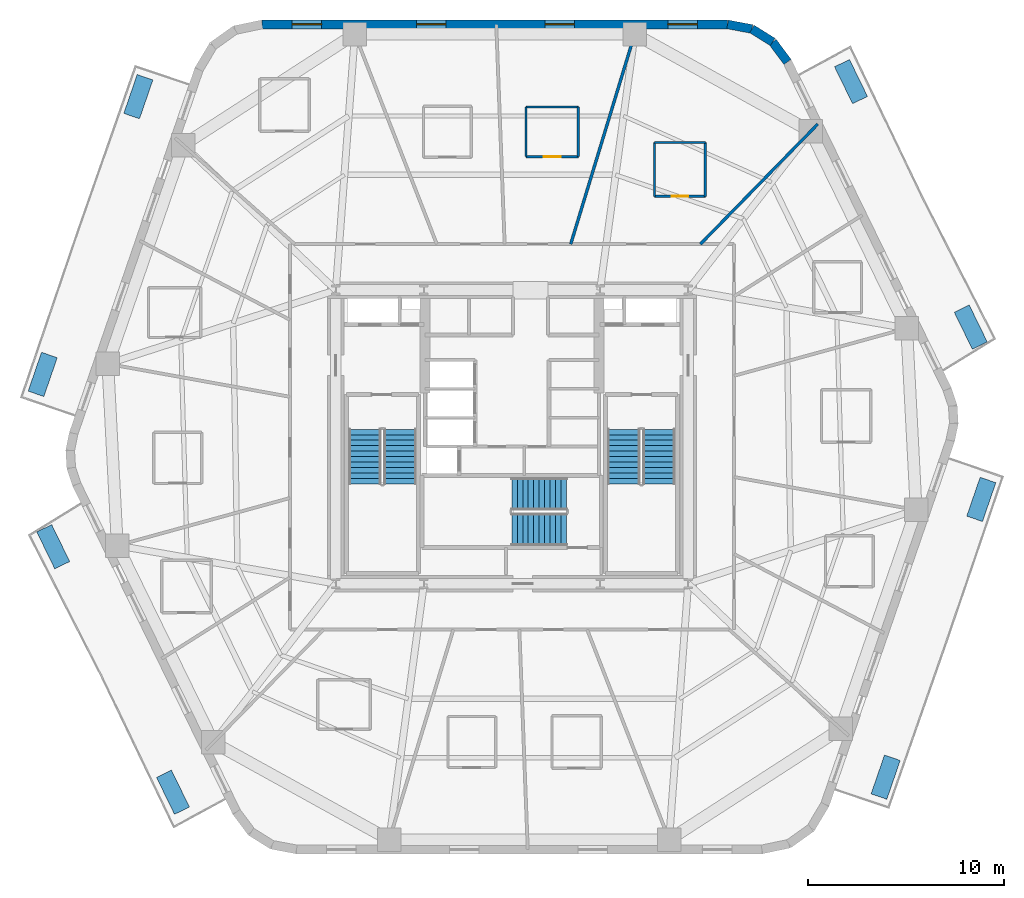
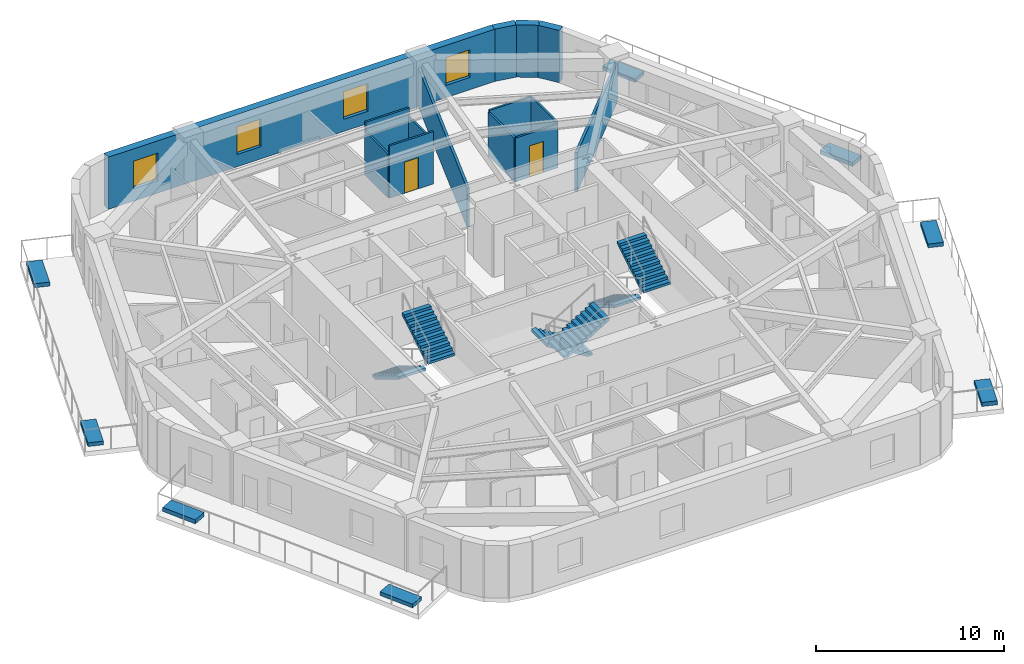
# One storey, part 7 of 10: 14 walls, 8 discrete accessories, 6 stair flights, 4 windows, 2 doors, 6 openings, 3 elements without a shape of their own.
"""IFC4 building model written with IfcOpenShell, lengths in metres."""

from ifc_helpers import new_model, si_unit, direction, frame, frame_2d, origin, origin_2d, place, context, subcontext, project, spatial, polyline, rectangle, outline, extrude, material, layer, layer_set, type_object, element, fill, aggregate, save


model = new_model("IFC4")

# Units and contexts
model_context = context("Model", 3, precision=1e-05, world=origin(), true_north=direction((0.0, 1.0)))
body_context = subcontext(model_context, "Body", "Model", "MODEL_VIEW")
ifc_project = project(units=[si_unit("LENGTHUNIT", "METRE"), si_unit("AREAUNIT", "SQUARE_METRE"), si_unit("VOLUMEUNIT", "CUBIC_METRE"), si_unit("PLANEANGLEUNIT", "RADIAN"), si_unit("MASSUNIT", "GRAM", prefix="KILO")], contexts=[model_context])

# Site, building, storey
site_placement = place(None, origin())
site = spatial("IfcSite", under=ifc_project, at=site_placement, CompositionType="ELEMENT")
building_placement = place(site_placement, origin())
building = spatial("IfcBuilding", under=site, at=building_placement, Name="Kilnhurst Terrace Hotel", CompositionType="ELEMENT")
storey_placement = place(building_placement, frame((0.0, 0.0, 121.0)))
storey = spatial("IfcBuildingStorey", under=building, at=storey_placement, Name="L29", CompositionType="ELEMENT", Elevation=121.0)

# Walls
ifc_material_1 = material(Name="Precast concrete C40/50", Category="concrete")
ifc_layer_1 = layer(ifc_material_1, 0.449951171875, Name="Precast concrete C40/50")
ifc_layer_set_1 = layer_set([ifc_layer_1], Name="Precast concrete C40/50")
wall_type_1 = type_object("IfcWallType", Name="WL-BRK-450", PredefinedType="SOLIDWALL", material=ifc_layer_set_1)
wall_1_placement = place(storey_placement, frame((14.07568359375, 19.16064453125, 0.0), z_axis=(0.0, 0.0, 1.0), x_axis=(-0.597226657159, 0.802072515412, 0.0)))
element("IfcWall", 1, at=wall_1_placement, inside=storey, type_object=wall_type_1, Name="L29 Rounded Corner Brick Wall C4.1", PredefinedType="SOLIDWALL", context=body_context, shape_type="SweptSolid", body=[
    extrude(rectangle(XDim=1.269287109375, YDim=0.449951171875, at=frame_2d((0.634765625, 0.0))), origin(), (0.0, 0.0, 1.0), 3.39990234375),
])
wall_2_placement = place(storey_placement, frame((13.317626953125, 20.1787109375, 0.0), z_axis=(0.0, 0.0, 1.0), x_axis=(-0.848031272749, 0.529946186362, 0.0)))
element("IfcWall", 2, at=wall_2_placement, inside=storey, type_object=wall_type_1, Name="L29 Rounded Corner Brick Wall C4.2", PredefinedType="SOLIDWALL", context=body_context, shape_type="SweptSolid", body=[
    extrude(rectangle(XDim=1.248046875, YDim=0.449951171875, at=frame_2d((0.6240234375, 0.0))), origin(), (0.0, 0.0, 1.0), 3.39990234375),
])
wall_3_placement = place(storey_placement, frame((12.25927734375, 20.840087890625, 0.0), z_axis=(0.0, 0.0, 1.0), x_axis=(-0.982730354425, 0.185043374624, 0.0)))
element("IfcWall", 3, at=wall_3_placement, inside=storey, type_object=wall_type_1, Name="L29 Rounded Corner Brick Wall C4.3", PredefinedType="SOLIDWALL", context=body_context, shape_type="SweptSolid", body=[
    extrude(rectangle(XDim=1.269287109375, YDim=0.449951171875, at=frame_2d((0.634765625, 0.0))), origin(), (0.0, 0.0, 1.0), 3.39990234375),
])

# Wall, openings, windows
wall_4_placement = place(storey_placement, frame((11.011962890625, 21.074951171875, 0.0), z_axis=(0.0, 0.0, 1.0), x_axis=(-1.0, 0.0, 0.0)))
wall_4 = element("IfcWall", 4, at=wall_4_placement, inside=storey, type_object=wall_type_1, Name="L29 Exterior Brick Facade Wall F4", PredefinedType="SOLIDWALL", context=body_context, shape_type="SweptSolid", body=[
    extrude(rectangle(XDim=23.782470703125, YDim=0.449951171875, at=frame_2d((11.89111328125, 0.0))), origin(), (0.0, 0.0, 1.0), 3.39990234375),
])
opening_1_placement = place(wall_4_placement, frame((1.5419921875, 0.0, 0.800048828125)))
opening_1 = element("IfcOpeningElement", 5, at=opening_1_placement, cuts=wall_4, Name="Opening W-02", PredefinedType="OPENING", context=body_context, shape_type="SweptSolid", body=[
    extrude(rectangle(XDim=1.5, YDim=1.800048828125, at=frame_2d((0.75, 0.89990234375))), frame((0.0, 0.23486328125, 0.0), z_axis=(0.0, -1.0, 0.0), x_axis=(1.0, 0.0, 0.0)), (0.0, 0.0, 1.0), 0.469970703125),
])
opening_2_placement = place(wall_4_placement, frame((7.820068359375, 0.0, 0.800048828125)))
opening_2 = element("IfcOpeningElement", 6, at=opening_2_placement, cuts=wall_4, Name="Opening W-02", PredefinedType="OPENING", context=body_context, shape_type="SweptSolid", body=[
    extrude(rectangle(XDim=1.5, YDim=1.800048828125, at=frame_2d((0.75, 0.89990234375))), frame((0.0, 0.23486328125, 0.0), z_axis=(0.0, -1.0, 0.0), x_axis=(1.0, 0.0, 0.0)), (0.0, 0.0, 1.0), 0.469970703125),
])
opening_3_placement = place(wall_4_placement, frame((14.387939453125, 0.0, 0.800048828125)))
opening_3 = element("IfcOpeningElement", 7, at=opening_3_placement, cuts=wall_4, Name="Opening W-02", PredefinedType="OPENING", context=body_context, shape_type="SweptSolid", body=[
    extrude(rectangle(XDim=1.5, YDim=1.800048828125, at=frame_2d((0.75, 0.89990234375))), frame((0.0, 0.23486328125, 0.0), z_axis=(0.0, -1.0, 0.0), x_axis=(1.0, 0.0, 0.0)), (0.0, 0.0, 1.0), 0.469970703125),
])
opening_4_placement = place(wall_4_placement, frame((20.740966796875, 0.0, 0.800048828125)))
opening_4 = element("IfcOpeningElement", 8, at=opening_4_placement, cuts=wall_4, Name="Opening W-02", PredefinedType="OPENING", context=body_context, shape_type="SweptSolid", body=[
    extrude(rectangle(XDim=1.5, YDim=1.800048828125, at=frame_2d((0.75, 0.89990234375))), frame((0.0, 0.23486328125, 0.0), z_axis=(0.0, -1.0, 0.0), x_axis=(1.0, 0.0, 0.0)), (0.0, 0.0, 1.0), 0.469970703125),
])
ifc_material_2 = material(Name="Thermally Broken Bronze Aluminium Alloy 6063-T6 and Low-E Glass", Category="aluminium")
window_type = type_object("IfcWindowType", Name="WIN-1500X1800", PartitioningType="SINGLE_PANEL", PredefinedType="WINDOW", material=ifc_material_2)
window_1_placement = place(opening_1_placement, origin())
window_1 = element("IfcWindow", 9, at=window_1_placement, inside=storey, type_object=window_type, Name="L29 Deep-Set Masonry Window F4.1", OverallHeight=1.800048828125, OverallWidth=1.5, PartitioningType="SINGLE_PANEL", PredefinedType="WINDOW", context=body_context, shape_type="SweptSolid", body=[
    extrude(rectangle(XDim=1.5, YDim=1.800048828125, at=frame_2d((0.75, 0.89990234375))), frame((0.0, 0.030029296875, 0.0), z_axis=(0.0, -1.0, 0.0), x_axis=(1.0, 0.0, 0.0)), (0.0, 0.0, 1.0), 0.06005859375),
])
fill(opening_1, window_1)
window_2_placement = place(opening_2_placement, origin())
window_2 = element("IfcWindow", 10, at=window_2_placement, inside=storey, type_object=window_type, Name="L29 Deep-Set Masonry Window F4.2", OverallHeight=1.800048828125, OverallWidth=1.5, PartitioningType="SINGLE_PANEL", PredefinedType="WINDOW", context=body_context, shape_type="SweptSolid", body=[
    extrude(rectangle(XDim=1.5, YDim=1.800048828125, at=frame_2d((0.75, 0.89990234375))), frame((0.0, 0.030029296875, 0.0), z_axis=(0.0, -1.0, 0.0), x_axis=(1.0, 0.0, 0.0)), (0.0, 0.0, 1.0), 0.06005859375),
])
fill(opening_2, window_2)
window_3_placement = place(opening_3_placement, origin())
window_3 = element("IfcWindow", 11, at=window_3_placement, inside=storey, type_object=window_type, Name="L29 Deep-Set Masonry Window F4.3", OverallHeight=1.800048828125, OverallWidth=1.5, PartitioningType="SINGLE_PANEL", PredefinedType="WINDOW", context=body_context, shape_type="SweptSolid", body=[
    extrude(rectangle(XDim=1.5, YDim=1.800048828125, at=frame_2d((0.75, 0.89990234375))), frame((0.0, 0.030029296875, 0.0), z_axis=(0.0, -1.0, 0.0), x_axis=(1.0, 0.0, 0.0)), (0.0, 0.0, 1.0), 0.06005859375),
])
fill(opening_3, window_3)
window_4_placement = place(opening_4_placement, origin())
window_4 = element("IfcWindow", 12, at=window_4_placement, inside=storey, type_object=window_type, Name="L29 Deep-Set Masonry Window F4.4", OverallHeight=1.800048828125, OverallWidth=1.5, PartitioningType="SINGLE_PANEL", PredefinedType="WINDOW", context=body_context, shape_type="SweptSolid", body=[
    extrude(rectangle(XDim=1.5, YDim=1.800048828125, at=frame_2d((0.75, 0.89990234375))), frame((0.0, 0.030029296875, 0.0), z_axis=(0.0, -1.0, 0.0), x_axis=(1.0, 0.0, 0.0)), (0.0, 0.0, 1.0), 0.06005859375),
])
fill(opening_4, window_4)

# Walls
ifc_material_3 = material(Name="STC-58 Acoustic Twin-Frame Guestroom Demising Partition")
ifc_layer_2 = layer(ifc_material_3, 0.14990234375, Name="STC-58 Acoustic Twin-Frame Guestroom Demising Partition")
ifc_layer_set_2 = layer_set([ifc_layer_2], Name="STC-58 Acoustic Twin-Frame Guestroom Demising Partition")
wall_type_2 = type_object("IfcWallType", Name="WL-DEM-150", PredefinedType="PARTITIONING", material=ifc_layer_set_2)
wall_5_placement = place(storey_placement, frame((9.6279296875, 9.85009765625, 0.0), z_axis=(0.0, 0.0, 1.0), x_axis=(0.698992824326, 0.715128681805, 0.0)))
element("IfcWall", 13, at=wall_5_placement, inside=storey, type_object=wall_type_2, Name="L29 Interior Wall WL-L29-DEM-COL02-03-1", PredefinedType="PARTITIONING", context=body_context, shape_type="SweptSolid", body=[
    extrude(rectangle(XDim=8.578857421875, YDim=0.14990234375, at=frame_2d((4.28955078125, 0.0))), origin(), (0.0, 0.0, 1.0), 2.5400390625),
])
wall_6_placement = place(storey_placement, frame((3.0, 9.85009765625, 0.0), z_axis=(0.0, 0.0, 1.0), x_axis=(0.291352035382, 0.95661590593, 0.0)))
element("IfcWall", 14, at=wall_6_placement, inside=storey, type_object=wall_type_2, Name="L29 Interior Wall WL-L29-DEM-COL03-04-1", PredefinedType="PARTITIONING", context=body_context, shape_type="SweptSolid", body=[
    extrude(rectangle(XDim=11.73388671875, YDim=0.14990234375, at=frame_2d((5.866943359375, 0.0))), origin(), (0.0, 0.0, 1.0), 2.5400390625),
])

# Wall, opening, door
ifc_material_4 = material(Name="120 mm Moisture-Resistant Tile-Backed Bathroom Partition")
ifc_layer_3 = layer(ifc_material_4, 0.1201171875, Name="120 mm Moisture-Resistant Tile-Backed Bathroom Partition")
ifc_layer_set_3 = layer_set([ifc_layer_3], Name="120 mm Moisture-Resistant Tile-Backed Bathroom Partition")
wall_type_3 = type_object("IfcWallType", Name="WL-PART-120", PredefinedType="PARTITIONING", material=ifc_layer_set_3)
wall_7_placement = place(storey_placement, frame((7.277099609375, 12.294921875, 0.0), z_axis=(0.0, 0.0, 1.0), x_axis=(1.0, 0.0, 0.0)))
wall_7 = element("IfcWall", 15, at=wall_7_placement, inside=storey, type_object=wall_type_3, Name="L29 Interior Wall WL-L29-BTH-03-1", PredefinedType="PARTITIONING", context=body_context, shape_type="SweptSolid", body=[
    extrude(rectangle(XDim=2.599853515625, YDim=0.1201171875, at=frame_2d((1.2998046875, 0.0))), origin(), (0.0, 0.0, 1.0), 2.84033203125),
])
opening_5_placement = place(wall_7_placement, frame((0.875, 0.0, 0.0)))
opening_5 = element("IfcOpeningElement", 16, at=opening_5_placement, cuts=wall_7, Name="Opening D-08A", PredefinedType="OPENING", context=body_context, shape_type="SweptSolid", body=[
    extrude(rectangle(XDim=0.85009765625, YDim=2.030029296875, at=frame_2d((0.425048828125, 1.01513671875))), frame((0.0, 0.070068359375, 0.0), z_axis=(0.0, -1.0, 0.0), x_axis=(1.0, 0.0, 0.0)), (0.0, 0.0, 1.0), 0.14013671875),
])
ifc_material_5 = material(Name="Moisture-Resistant Lacquered En-suite Bathroom Door")
door_type = type_object("IfcDoorType", Name="DR-INT-850", OperationType="NOTDEFINED", PredefinedType="DOOR", material=ifc_material_5)
door_1_placement = place(opening_5_placement, origin())
door_1 = element("IfcDoor", 17, at=door_1_placement, inside=storey, type_object=door_type, Name="L29 En-suite Bathroom Door 3", OperationType="SINGLE_SWING_RIGHT", OverallHeight=2.030029296875, OverallWidth=0.85009765625, PredefinedType="DOOR", context=body_context, shape_type="SweptSolid", body=[
    extrude(rectangle(XDim=0.85009765625, YDim=2.030029296875, at=frame_2d((0.425048828125, 1.01513671875))), frame((0.0, 0.02490234375, 0.0), z_axis=(0.0, -1.0, 0.0), x_axis=(1.0, 0.0, 0.0)), (0.0, 0.0, 1.0), 0.050048828125),
])
fill(opening_5, door_1)

# Walls
wall_8_placement = place(storey_placement, frame((9.876953125, 12.294921875, 0.0), z_axis=(0.0, 0.0, 1.0), x_axis=(0.0, 1.0, 0.0)))
element("IfcWall", 18, at=wall_8_placement, inside=storey, type_object=wall_type_3, Name="L29 Interior Wall WL-L29-BTH-03-2", PredefinedType="PARTITIONING", context=body_context, shape_type="SweptSolid", body=[
    extrude(rectangle(XDim=2.75, YDim=0.1201171875, at=frame_2d((1.375, 0.0))), origin(), (0.0, 0.0, 1.0), 2.972412109375),
])
wall_9_placement = place(storey_placement, frame((9.876953125, 15.044921875, 0.0), z_axis=(0.0, 0.0, 1.0), x_axis=(-1.0, 0.0, 0.0)))
element("IfcWall", 19, at=wall_9_placement, inside=storey, type_object=wall_type_3, Name="L29 Interior Wall WL-L29-BTH-03-3", PredefinedType="PARTITIONING", context=body_context, shape_type="SweptSolid", body=[
    extrude(rectangle(XDim=2.599853515625, YDim=0.1201171875, at=frame_2d((1.2998046875, 0.0))), origin(), (0.0, 0.0, 1.0), 2.972412109375),
])
wall_10_placement = place(storey_placement, frame((7.277099609375, 15.044921875, 0.0), z_axis=(0.0, 0.0, 1.0), x_axis=(0.0, -1.0, 0.0)))
element("IfcWall", 20, at=wall_10_placement, inside=storey, type_object=wall_type_3, Name="L29 Interior Wall WL-L29-BTH-03-4", PredefinedType="PARTITIONING", context=body_context, shape_type="SweptSolid", body=[
    extrude(rectangle(XDim=2.75, YDim=0.1201171875, at=frame_2d((1.375, 0.0))), origin(), (0.0, 0.0, 1.0), 2.84033203125),
])

# Wall, opening, door
wall_11_placement = place(storey_placement, frame((0.712890625, 14.31689453125, 0.0), z_axis=(0.0, 0.0, 1.0), x_axis=(1.0, 0.0, 0.0)))
wall_11 = element("IfcWall", 21, at=wall_11_placement, inside=storey, type_object=wall_type_3, Name="L29 Interior Wall WL-L29-BTH-04-1", PredefinedType="PARTITIONING", context=body_context, shape_type="SweptSolid", body=[
    extrude(rectangle(XDim=2.68017578125, YDim=0.1201171875, at=frame_2d((1.340087890625, 0.0))), origin(), (0.0, 0.0, 1.0), 3.39990234375),
])
opening_6_placement = place(wall_11_placement, frame((0.9150390625, 0.0, 0.0)))
opening_6 = element("IfcOpeningElement", 22, at=opening_6_placement, cuts=wall_11, Name="Opening D-08A", PredefinedType="OPENING", context=body_context, shape_type="SweptSolid", body=[
    extrude(rectangle(XDim=0.85009765625, YDim=2.030029296875, at=frame_2d((0.425048828125, 1.01513671875))), frame((0.0, 0.070068359375, 0.0), z_axis=(0.0, -1.0, 0.0), x_axis=(1.0, 0.0, 0.0)), (0.0, 0.0, 1.0), 0.14013671875),
])
door_2_placement = place(opening_6_placement, origin())
door_2 = element("IfcDoor", 23, at=door_2_placement, inside=storey, type_object=door_type, Name="L29 En-suite Bathroom Door 4", OperationType="SINGLE_SWING_LEFT", OverallHeight=2.030029296875, OverallWidth=0.85009765625, PredefinedType="DOOR", context=body_context, shape_type="SweptSolid", body=[
    extrude(rectangle(XDim=0.85009765625, YDim=2.030029296875, at=frame_2d((0.425048828125, 1.01513671875))), frame((0.0, 0.02490234375, 0.0), z_axis=(0.0, -1.0, 0.0), x_axis=(1.0, 0.0, 0.0)), (0.0, 0.0, 1.0), 0.050048828125),
])
fill(opening_6, door_2)

# Walls
wall_12_placement = place(storey_placement, frame((3.39306640625, 14.31689453125, 0.0), z_axis=(0.0, 0.0, 1.0), x_axis=(0.0, 1.0, 0.0)))
element("IfcWall", 24, at=wall_12_placement, inside=storey, type_object=wall_type_3, Name="L29 Interior Wall WL-L29-BTH-04-2", PredefinedType="PARTITIONING", context=body_context, shape_type="SweptSolid", body=[
    extrude(rectangle(XDim=2.5400390625, YDim=0.1201171875, at=frame_2d((1.27001953125, 0.0))), origin(), (0.0, 0.0, 1.0), 2.84033203125),
])
wall_13_placement = place(storey_placement, frame((3.39306640625, 16.85693359375, 0.0), z_axis=(0.0, 0.0, 1.0), x_axis=(-1.0, 0.0, 0.0)))
element("IfcWall", 25, at=wall_13_placement, inside=storey, type_object=wall_type_3, Name="L29 Interior Wall WL-L29-BTH-04-3", PredefinedType="PARTITIONING", context=body_context, shape_type="SweptSolid", body=[
    extrude(rectangle(XDim=2.68017578125, YDim=0.1201171875, at=frame_2d((1.340087890625, 0.0))), origin(), (0.0, 0.0, 1.0), 3.39990234375),
])
wall_14_placement = place(storey_placement, frame((0.712890625, 16.85693359375, 0.0), z_axis=(0.0, 0.0, 1.0), x_axis=(0.0, -1.0, 0.0)))
element("IfcWall", 26, at=wall_14_placement, inside=storey, type_object=wall_type_3, Name="L29 Interior Wall WL-L29-BTH-04-4", PredefinedType="PARTITIONING", context=body_context, shape_type="SweptSolid", body=[
    extrude(rectangle(XDim=2.5400390625, YDim=0.1201171875, at=frame_2d((1.27001953125, 0.0))), origin(), (0.0, 0.0, 1.0), 2.84033203125),
])

# Stair, stair flights
ifc_material_6 = material(Name="Concrete C50/60", Category="concrete")
stair_type = type_object("IfcStairType", Name="STR-CORE-1660", PredefinedType="HALF_TURN_STAIR", material=ifc_material_6)
stair_1_placement = place(storey_placement, origin())
stair_1 = element("IfcStair", 27, at=stair_1_placement, inside=storey, type_object=stair_type, Name="L29 ST-1", PredefinedType="HALF_TURN_STAIR")
stair_flight_type = type_object("IfcStairFlightType", Name="FLT-RC-1660", PredefinedType="STRAIGHT", material=ifc_material_6)
stair_flight_1_placement = place(storey_placement, frame((-7.52001953125, 0.389892578125, 0.0), z_axis=(0.0, 0.0, 1.0), x_axis=(0.0, -1.0, 0.0)))
stair_flight_1 = element("IfcStairFlight", 28, at=stair_flight_1_placement, type_object=stair_flight_type, Name="ST-1 flight 1", NumberOfRisers=11, NumberOfTreads=10, PredefinedType="STRAIGHT", RiserHeight=0.168181818, TreadLength=0.28, context=body_context, shape_type="SweptSolid", body=[
    extrude(outline(polyline([(0.0, 0.0), (0.0, 0.168212890625), (0.280029296875, 0.168212890625), (0.280029296875, 0.33642578125), (0.56005859375, 0.33642578125), (0.56005859375, 0.504638671875), (0.840087890625, 0.504638671875), (0.840087890625, 0.672607421875), (1.1201171875, 0.672607421875), (1.1201171875, 0.8408203125), (1.39990234375, 0.8408203125), (1.39990234375, 1.009033203125), (1.679931640625, 1.009033203125), (1.679931640625, 1.17724609375), (1.9599609375, 1.17724609375), (1.9599609375, 1.345458984375), (2.239990234375, 1.345458984375), (2.239990234375, 1.513671875), (2.52001953125, 1.513671875), (2.52001953125, 1.681884765625), (2.800048828125, 1.681884765625), (2.800048828125, 1.85009765625), (2.800048828125, 1.5068359375), (0.291015625, 0.0), (0.0, 0.0)])), frame((0.0, 0.830078125, 0.0), z_axis=(0.0, -1.0, 0.0), x_axis=(1.0, 0.0, 0.0)), (0.0, 0.0, 1.0), 1.659912109375),
])
stair_flight_2_placement = place(storey_placement, frame((-5.7099609375, -2.409912109375, 1.85009765625), z_axis=(0.0, 0.0, 1.0), x_axis=(0.0, 1.0, 0.0)))
stair_flight_2 = element("IfcStairFlight", 29, at=stair_flight_2_placement, type_object=stair_flight_type, Name="ST-1 flight 2", NumberOfRisers=11, NumberOfTreads=10, PredefinedType="STRAIGHT", RiserHeight=0.168181818, TreadLength=0.28, context=body_context, shape_type="SweptSolid", body=[
    extrude(outline(polyline([(0.0, 0.0), (0.0, 0.168212890625), (0.280029296875, 0.168212890625), (0.280029296875, 0.33642578125), (0.56005859375, 0.33642578125), (0.56005859375, 0.504638671875), (0.840087890625, 0.504638671875), (0.840087890625, 0.672607421875), (1.1201171875, 0.672607421875), (1.1201171875, 0.8408203125), (1.39990234375, 0.8408203125), (1.39990234375, 1.009033203125), (1.679931640625, 1.009033203125), (1.679931640625, 1.17724609375), (1.9599609375, 1.17724609375), (1.9599609375, 1.345458984375), (2.239990234375, 1.345458984375), (2.239990234375, 1.513671875), (2.52001953125, 1.513671875), (2.52001953125, 1.681884765625), (2.800048828125, 1.681884765625), (2.800048828125, 1.85009765625), (2.800048828125, 1.5068359375), (0.291015625, 0.0), (0.0, 0.0)])), frame((0.0, 0.830078125, 0.0), z_axis=(0.0, -1.0, 0.0), x_axis=(1.0, 0.0, 0.0)), (0.0, 0.0, 1.0), 1.659912109375),
])
aggregate(stair_1, [stair_flight_1, stair_flight_2])

stair_2_placement = place(storey_placement, origin())
stair_2 = element("IfcStair", 30, at=stair_2_placement, inside=storey, type_object=stair_type, Name="L29 ST-2", PredefinedType="HALF_TURN_STAIR")
stair_flight_3_placement = place(storey_placement, frame((5.7099609375, 0.389892578125, 0.0), z_axis=(0.0, 0.0, 1.0), x_axis=(0.0, -1.0, 0.0)))
stair_flight_3 = element("IfcStairFlight", 31, at=stair_flight_3_placement, type_object=stair_flight_type, Name="ST-2 flight 1", NumberOfRisers=11, NumberOfTreads=10, PredefinedType="STRAIGHT", RiserHeight=0.168181818, TreadLength=0.28, context=body_context, shape_type="SweptSolid", body=[
    extrude(outline(polyline([(0.0, 0.0), (0.0, 0.168212890625), (0.280029296875, 0.168212890625), (0.280029296875, 0.33642578125), (0.56005859375, 0.33642578125), (0.56005859375, 0.504638671875), (0.840087890625, 0.504638671875), (0.840087890625, 0.672607421875), (1.1201171875, 0.672607421875), (1.1201171875, 0.8408203125), (1.39990234375, 0.8408203125), (1.39990234375, 1.009033203125), (1.679931640625, 1.009033203125), (1.679931640625, 1.17724609375), (1.9599609375, 1.17724609375), (1.9599609375, 1.345458984375), (2.239990234375, 1.345458984375), (2.239990234375, 1.513671875), (2.52001953125, 1.513671875), (2.52001953125, 1.681884765625), (2.800048828125, 1.681884765625), (2.800048828125, 1.85009765625), (2.800048828125, 1.5068359375), (0.291015625, 0.0), (0.0, 0.0)])), frame((0.0, 0.830078125, 0.0), z_axis=(0.0, -1.0, 0.0), x_axis=(1.0, 0.0, 0.0)), (0.0, 0.0, 1.0), 1.659912109375),
])
stair_flight_4_placement = place(storey_placement, frame((7.52001953125, -2.409912109375, 1.85009765625), z_axis=(0.0, 0.0, 1.0), x_axis=(0.0, 1.0, 0.0)))
stair_flight_4 = element("IfcStairFlight", 32, at=stair_flight_4_placement, type_object=stair_flight_type, Name="ST-2 flight 2", NumberOfRisers=11, NumberOfTreads=10, PredefinedType="STRAIGHT", RiserHeight=0.168181818, TreadLength=0.28, context=body_context, shape_type="SweptSolid", body=[
    extrude(outline(polyline([(0.0, 0.0), (0.0, 0.168212890625), (0.280029296875, 0.168212890625), (0.280029296875, 0.33642578125), (0.56005859375, 0.33642578125), (0.56005859375, 0.504638671875), (0.840087890625, 0.504638671875), (0.840087890625, 0.672607421875), (1.1201171875, 0.672607421875), (1.1201171875, 0.8408203125), (1.39990234375, 0.8408203125), (1.39990234375, 1.009033203125), (1.679931640625, 1.009033203125), (1.679931640625, 1.17724609375), (1.9599609375, 1.17724609375), (1.9599609375, 1.345458984375), (2.239990234375, 1.345458984375), (2.239990234375, 1.513671875), (2.52001953125, 1.513671875), (2.52001953125, 1.681884765625), (2.800048828125, 1.681884765625), (2.800048828125, 1.85009765625), (2.800048828125, 1.5068359375), (0.291015625, 0.0), (0.0, 0.0)])), frame((0.0, 0.830078125, 0.0), z_axis=(0.0, -1.0, 0.0), x_axis=(1.0, 0.0, 0.0)), (0.0, 0.0, 1.0), 1.659912109375),
])
aggregate(stair_2, [stair_flight_3, stair_flight_4])

stair_3_placement = place(storey_placement, origin())
stair_3 = element("IfcStair", 33, at=stair_3_placement, inside=storey, type_object=stair_type, Name="L29 ST-3", PredefinedType="HALF_TURN_STAIR")
stair_flight_5_placement = place(storey_placement, frame((2.7900390625, -2.909912109375, 0.0), z_axis=(0.0, 0.0, 1.0), x_axis=(-1.0, 0.0, 0.0)))
stair_flight_5 = element("IfcStairFlight", 34, at=stair_flight_5_placement, type_object=stair_flight_type, Name="ST-3 flight 1", NumberOfRisers=11, NumberOfTreads=10, PredefinedType="STRAIGHT", RiserHeight=0.168181818, TreadLength=0.28, context=body_context, shape_type="SweptSolid", body=[
    extrude(outline(polyline([(0.0, 0.0), (0.0, 0.168212890625), (0.280029296875, 0.168212890625), (0.280029296875, 0.33642578125), (0.56005859375, 0.33642578125), (0.56005859375, 0.504638671875), (0.840087890625, 0.504638671875), (0.840087890625, 0.672607421875), (1.1201171875, 0.672607421875), (1.1201171875, 0.8408203125), (1.39990234375, 0.8408203125), (1.39990234375, 1.009033203125), (1.679931640625, 1.009033203125), (1.679931640625, 1.17724609375), (1.9599609375, 1.17724609375), (1.9599609375, 1.345458984375), (2.239990234375, 1.345458984375), (2.239990234375, 1.513671875), (2.52001953125, 1.513671875), (2.52001953125, 1.681884765625), (2.800048828125, 1.681884765625), (2.800048828125, 1.85009765625), (2.800048828125, 1.5068359375), (0.291015625, 0.0), (0.0, 0.0)])), frame((0.0, 0.830078125, 0.0), z_axis=(0.0, -1.0, 0.0), x_axis=(1.0, 0.0, 0.0)), (0.0, 0.0, 1.0), 1.659912109375),
])
stair_flight_6_placement = place(storey_placement, frame((-0.010009765625, -4.719970703125, 1.85009765625), z_axis=(0.0, 0.0, 1.0), x_axis=(1.0, 0.0, 0.0)))
stair_flight_6 = element("IfcStairFlight", 35, at=stair_flight_6_placement, type_object=stair_flight_type, Name="ST-3 flight 2", NumberOfRisers=11, NumberOfTreads=10, PredefinedType="STRAIGHT", RiserHeight=0.168181818, TreadLength=0.28, context=body_context, shape_type="SweptSolid", body=[
    extrude(outline(polyline([(0.0, 0.0), (0.0, 0.168212890625), (0.280029296875, 0.168212890625), (0.280029296875, 0.33642578125), (0.56005859375, 0.33642578125), (0.56005859375, 0.504638671875), (0.840087890625, 0.504638671875), (0.840087890625, 0.672607421875), (1.1201171875, 0.672607421875), (1.1201171875, 0.8408203125), (1.39990234375, 0.8408203125), (1.39990234375, 1.009033203125), (1.679931640625, 1.009033203125), (1.679931640625, 1.17724609375), (1.9599609375, 1.17724609375), (1.9599609375, 1.345458984375), (2.239990234375, 1.345458984375), (2.239990234375, 1.513671875), (2.52001953125, 1.513671875), (2.52001953125, 1.681884765625), (2.800048828125, 1.681884765625), (2.800048828125, 1.85009765625), (2.800048828125, 1.5068359375), (0.291015625, 0.0), (0.0, 0.0)])), frame((0.0, 0.830078125, 0.0), z_axis=(0.0, -1.0, 0.0), x_axis=(1.0, 0.0, 0.0)), (0.0, 0.0, 1.0), 1.659912109375),
])
aggregate(stair_3, [stair_flight_5, stair_flight_6])

# Discrete accessories
ifc_material_7 = material(Name="Precast Concrete C40/50 Shrub Planter", Category="concrete")
discrete_accessory_type_1 = type_object("IfcDiscreteAccessoryType", Name="PLN-SHRUB-240", PredefinedType="USERDEFINED", material=ifc_material_7)
for number, where, z_axis, x_axis, name in (
    (36, (23.9765625, -3.193115234375, 0.0), (0.0, 0.0, 1.0), (0.325601159083, 0.945507210551, 0.0), "L29 Structural Tree Planter Box PLANTER BAL-L1A.2"),
    (37, (17.321044921875, 18.15234375, 0.0), (0.0, 0.0, 1.0), (-0.438386833638, 0.898786395142, 0.0), "L29 Structural Tree Planter Box PLANTER BAL-L1B.2"),
    (38, (-23.9765625, 3.193115234375, 0.0), (0.0, 0.0, 1.0), (-0.325601159083, -0.945507210551, 0.0), "L29 Structural Tree Planter Box PLANTER BAL-L2A.2"),
    (39, (-17.321044921875, -18.15234375, 0.0), (0.0, 0.0, 1.0), (0.438386833638, -0.898786395142, 0.0), "L29 Structural Tree Planter Box PLANTER BAL-L2B.2"),
):
    element("IfcDiscreteAccessory", number, at=place(storey_placement, frame(where, z_axis=z_axis, x_axis=x_axis)), inside=storey, type_object=discrete_accessory_type_1, Name=name, ObjectType="PLANTER", PredefinedType="USERDEFINED", context=body_context, shape_type="SweptSolid", body=[
        extrude(rectangle(XDim=2.10009765625, YDim=0.85009765625, at=origin_2d()), origin(), (0.0, 0.0, 1.0), 0.239990234375),
    ])
ifc_material_8 = material(Name="Precast Concrete C40/50 Tree Planter", Category="concrete")
discrete_accessory_type_2 = type_object("IfcDiscreteAccessoryType", Name="PLN-TREE-260", PredefinedType="USERDEFINED", material=ifc_material_8)
for number, where, z_axis, x_axis, name in (
    (40, (19.090087890625, -17.3828125, 0.0), (0.0, 0.0, 1.0), (0.325601159083, 0.945507210551, 0.0), "L29 Structural Tree Planter Box PLANTER BAL-L1A.1"),
    (41, (23.4384765625, 5.6103515625, 0.0), (0.0, 0.0, 1.0), (-0.438386833638, 0.898786395142, 0.0), "L29 Structural Tree Planter Box PLANTER BAL-L1B.1"),
    (42, (-19.090087890625, 17.3828125, 0.0), (0.0, 0.0, 1.0), (-0.325601159083, -0.945507210551, 0.0), "L29 Structural Tree Planter Box PLANTER BAL-L2A.1"),
    (43, (-23.4384765625, -5.6103515625, 0.0), (0.0, 0.0, 1.0), (0.438386833638, -0.898786395142, 0.0), "L29 Structural Tree Planter Box PLANTER BAL-L2B.1"),
):
    element("IfcDiscreteAccessory", number, at=place(storey_placement, frame(where, z_axis=z_axis, x_axis=x_axis)), inside=storey, type_object=discrete_accessory_type_2, Name=name, ObjectType="PLANTER", PredefinedType="USERDEFINED", context=body_context, shape_type="SweptSolid", body=[
        extrude(rectangle(XDim=2.10009765625, YDim=0.85009765625, at=origin_2d()), origin(), (0.0, 0.0, 1.0), 0.260009765625),
    ])

save(model, "model.ifc")
